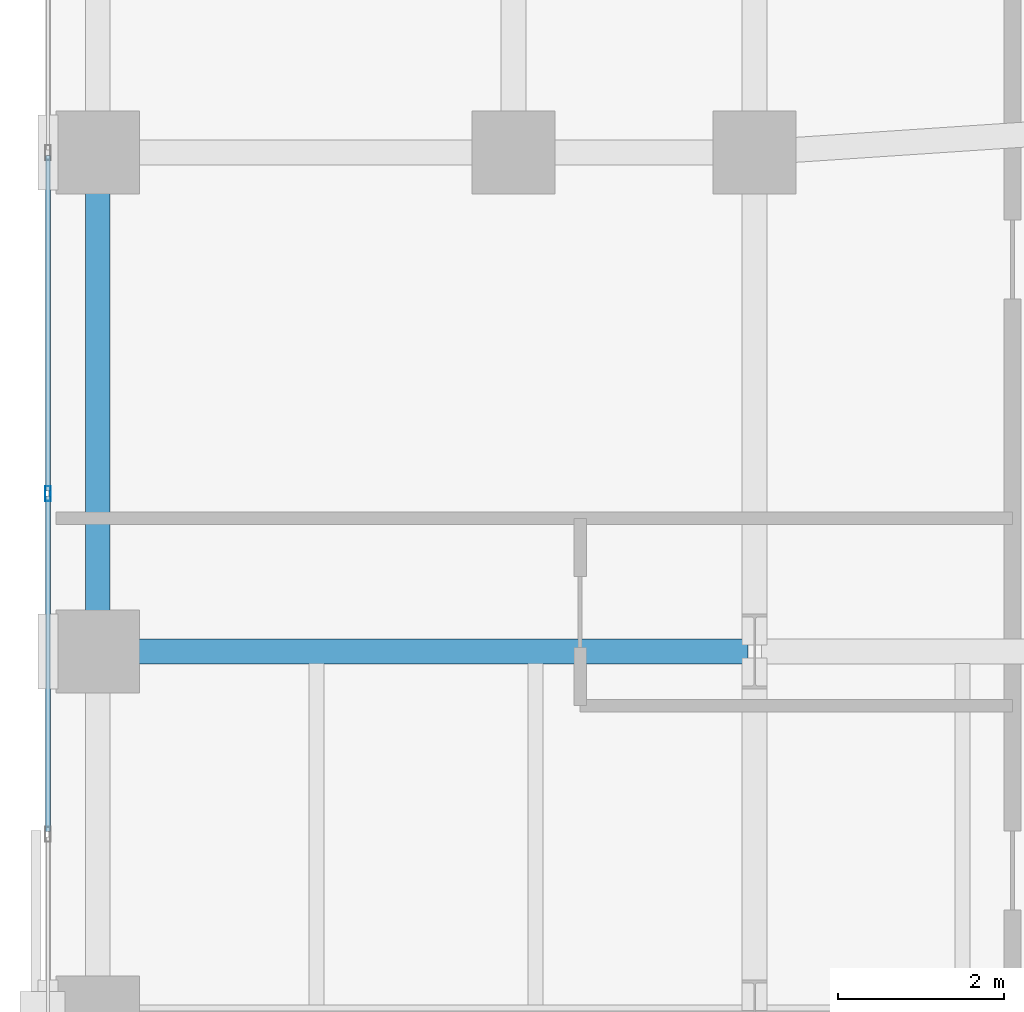
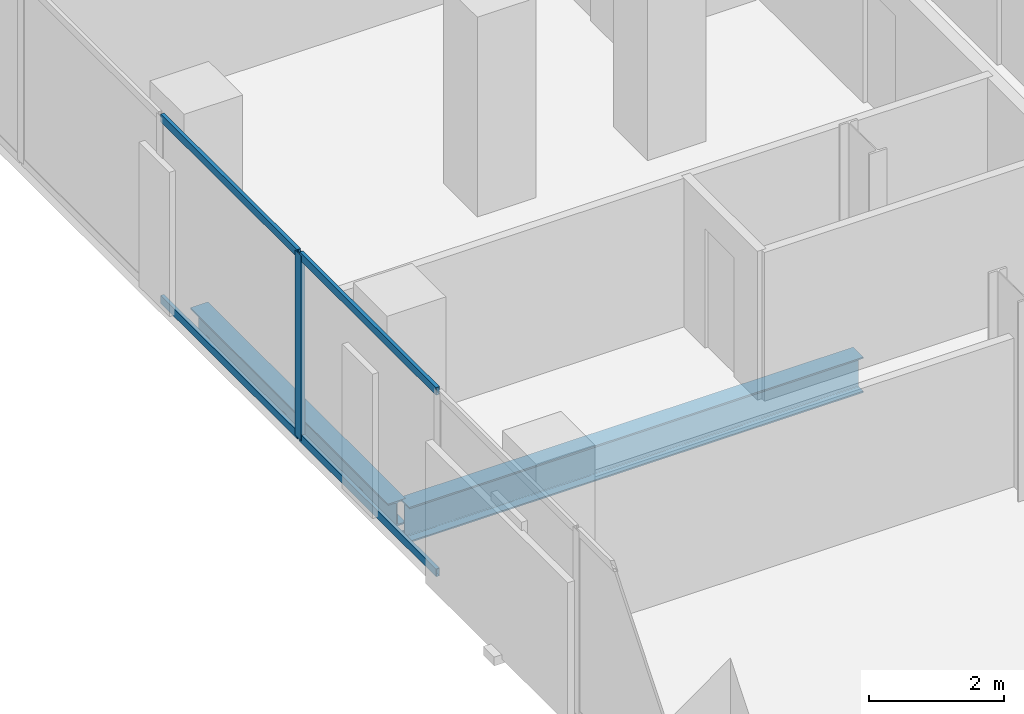
# One storey, part 8 of 31: 5 members, 2 beams, 1 element without a shape of its own.
"""IFC4 building model written with IfcOpenShell, lengths in metres."""

from ifc_helpers import new_model, si_unit, direction, frame, origin, origin_2d, place, context, subcontext, project, spatial, hollow_rectangle, i_section, extrude, material, layer, layer_set, material_profile, profile_set, type_object, element, aggregate, save


model = new_model("IFC4")

# Units and contexts
model_context = context("Model", 3, precision=1e-05, world=origin(), true_north=direction((0.0, 1.0)))
body_context = subcontext(model_context, "Body", "Model", "MODEL_VIEW")
ifc_project = project(units=[si_unit("LENGTHUNIT", "METRE"), si_unit("AREAUNIT", "SQUARE_METRE"), si_unit("VOLUMEUNIT", "CUBIC_METRE"), si_unit("PLANEANGLEUNIT", "RADIAN"), si_unit("MASSUNIT", "GRAM", prefix="KILO")], contexts=[model_context])

# Site, building, storey
site_placement = place(None, origin())
site = spatial("IfcSite", under=ifc_project, at=site_placement, CompositionType="ELEMENT")
building_placement = place(site_placement, origin())
building = spatial("IfcBuilding", under=site, at=building_placement, Name="Catumbela Crestline Tower", CompositionType="ELEMENT")
storey_placement = place(building_placement, frame((0.0, 0.0, 25.8)))
storey = spatial("IfcBuildingStorey", under=building, at=storey_placement, Name="L05", CompositionType="ELEMENT", Elevation=25.8)

# Beam
ifc_material_1 = material(Name="Structural steel S355J2", Category="steel")
ifc_material_profile_1 = material_profile(ifc_material_1, i_section(OverallWidth=0.3, OverallDepth=0.64, WebThickness=0.0135, FlangeThickness=0.026, FilletRadius=0.027, at=origin_2d()), Name="HEA 650")
ifc_profile_set_1 = profile_set([ifc_material_profile_1], Name="Structural steel S355J2")
beam_type_1 = type_object("IfcBeamType", Name="BG-HEA650", PredefinedType="BEAM", material=ifc_profile_set_1)
beam_1_placement = place(storey_placement, frame((0.68, 18.0, -0.58), z_axis=(1.0, 0.0, 0.0), x_axis=(0.0, 1.0, 0.0)))
element("IfcBeam", 1, at=beam_1_placement, inside=storey, type_object=beam_type_1, Name="L05 Beam BM-L05-WEW54", PredefinedType="BEAM", context=body_context, shape_type="SweptSolid", body=[
    extrude(i_section(OverallWidth=0.3, OverallDepth=0.64, WebThickness=0.0135, FlangeThickness=0.026, FilletRadius=0.027, at=origin_2d()), origin(), (0.0, 0.0, 1.0), 7.74),
])

# Curtain wall, member
ifc_material_2 = material(Name="Aluminium alloy AW-6060-T66", Category="aluminium")
ifc_layer = layer(ifc_material_2, 0.18, Name="Aluminium alloy AW-6060-T66")
ifc_layer_set = layer_set([ifc_layer], Name="Aluminium alloy AW-6060-T66")
curtain_wall_type = type_object("IfcCurtainWallType", Name="CWU-Z1", PredefinedType="USERDEFINED", material=ifc_layer_set)
curtain_wall_placement = place(storey_placement, origin())
curtain_wall = element("IfcCurtainWall", 2, at=curtain_wall_placement, inside=storey, type_object=curtain_wall_type, Name="L05 Unitised Curtain Wall CW-L05-E9S1", ObjectType="UNITISED", PredefinedType="USERDEFINED")
ifc_material_profile_2 = material_profile(ifc_material_2, hollow_rectangle(XDim=0.065, YDim=0.18, WallThickness=0.004, at=origin_2d()), Name="ALU 180x65x4")
ifc_profile_set_2 = profile_set([ifc_material_profile_2], Name="Aluminium alloy AW-6060-T66")
member_type_1 = type_object("IfcMemberType", Name="MUL-180X65", PredefinedType="MULLION", material=ifc_profile_set_2)
member_1_placement = place(storey_placement, frame((0.0, 19.9, 0.0), z_axis=(0.0, 0.0, 1.0), x_axis=(1.0, 0.0, 0.0)))
member_1 = element("IfcMember", 3, at=member_1_placement, type_object=member_type_1, Name="CWU-Z1 mullion 7", PredefinedType="MULLION", context=body_context, shape_type="SweptSolid", body=[
    extrude(hollow_rectangle(XDim=0.065, YDim=0.18, WallThickness=0.004, at=origin_2d()), origin(), (0.0, 0.0, 1.0), 3.33),
])

# Beam
ifc_material_profile_3 = material_profile(ifc_material_1, i_section(OverallWidth=0.3, OverallDepth=0.45, WebThickness=0.014, FlangeThickness=0.026, FilletRadius=0.027, at=origin_2d()), Name="HEB 450")
ifc_profile_set_3 = profile_set([ifc_material_profile_3], Name="Structural steel S355J2")
beam_type_2 = type_object("IfcBeamType", Name="BS-HEB450", PredefinedType="SPANDREL", material=ifc_profile_set_3)
beam_2_placement = place(storey_placement, frame((0.6, 18.08, -0.485), z_axis=(0.0, 1.0, 0.0), x_axis=(-1.0, 0.0, 0.0)))
element("IfcBeam", 4, at=beam_2_placement, inside=storey, type_object=beam_type_2, Name="L05 Spandrel SP-L05-WNS60", PredefinedType="SPANDREL", context=body_context, shape_type="SweptSolid", body=[
    extrude(i_section(OverallWidth=0.3, OverallDepth=0.45, WebThickness=0.014, FlangeThickness=0.026, FilletRadius=0.027, at=origin_2d()), origin(), (0.0, 0.0, 1.0), 5.84),
])

# Member
ifc_material_profile_4 = material_profile(ifc_material_2, hollow_rectangle(XDim=0.06, YDim=0.14, WallThickness=0.004, at=origin_2d()), Name="ALU 140x60x4")
ifc_profile_set_4 = profile_set([ifc_material_profile_4], Name="Aluminium alloy AW-6060-T66")
member_type_2 = type_object("IfcMemberType", Name="TRN-140X60", PredefinedType="USERDEFINED", material=ifc_profile_set_4)
member_2_placement = place(storey_placement, frame((0.0, 23.9675, 0.03), z_axis=(0.0, -1.0, 0.0), x_axis=(1.0, 0.0, 0.0)))
member_2 = element("IfcMember", 5, at=member_2_placement, type_object=member_type_2, Name="CWU-Z1 transom 6.1", ObjectType="TRANSOM", PredefinedType="USERDEFINED", context=body_context, shape_type="SweptSolid", body=[
    extrude(hollow_rectangle(XDim=0.06, YDim=0.14, WallThickness=0.004, at=origin_2d()), origin(), (0.0, 0.0, 1.0), 4.035),
])

member_3_placement = place(storey_placement, frame((0.0, 23.9675, 3.3), z_axis=(0.0, -1.0, 0.0), x_axis=(1.0, 0.0, 0.0)))
member_3 = element("IfcMember", 6, at=member_3_placement, type_object=member_type_2, Name="CWU-Z1 transom 6.2", ObjectType="TRANSOM", PredefinedType="USERDEFINED", context=body_context, shape_type="SweptSolid", body=[
    extrude(hollow_rectangle(XDim=0.06, YDim=0.14, WallThickness=0.004, at=origin_2d()), origin(), (0.0, 0.0, 1.0), 4.035),
])

member_4_placement = place(storey_placement, frame((0.0, 19.8675, 0.03), z_axis=(0.0, -1.0, 0.0), x_axis=(1.0, 0.0, 0.0)))
member_4 = element("IfcMember", 7, at=member_4_placement, type_object=member_type_2, Name="CWU-Z1 transom 7.1", ObjectType="TRANSOM", PredefinedType="USERDEFINED", context=body_context, shape_type="SweptSolid", body=[
    extrude(hollow_rectangle(XDim=0.06, YDim=0.14, WallThickness=0.004, at=origin_2d()), origin(), (0.0, 0.0, 1.0), 4.035),
])

member_5_placement = place(storey_placement, frame((0.0, 19.8675, 3.3), z_axis=(0.0, -1.0, 0.0), x_axis=(1.0, 0.0, 0.0)))
member_5 = element("IfcMember", 8, at=member_5_placement, type_object=member_type_2, Name="CWU-Z1 transom 7.2", ObjectType="TRANSOM", PredefinedType="USERDEFINED", context=body_context, shape_type="SweptSolid", body=[
    extrude(hollow_rectangle(XDim=0.06, YDim=0.14, WallThickness=0.004, at=origin_2d()), origin(), (0.0, 0.0, 1.0), 4.035),
])

aggregate(curtain_wall, [member_1, member_2, member_3, member_4, member_5])

save(model, "model.ifc")
